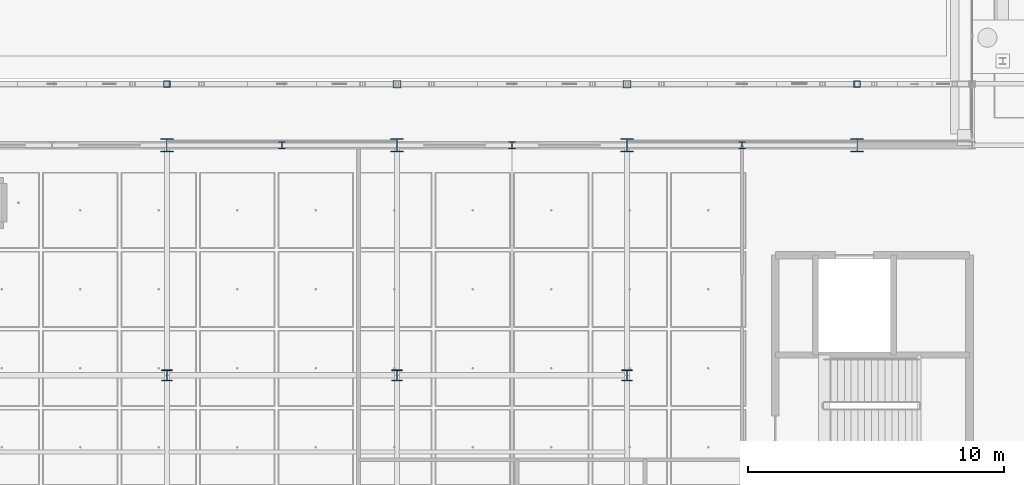
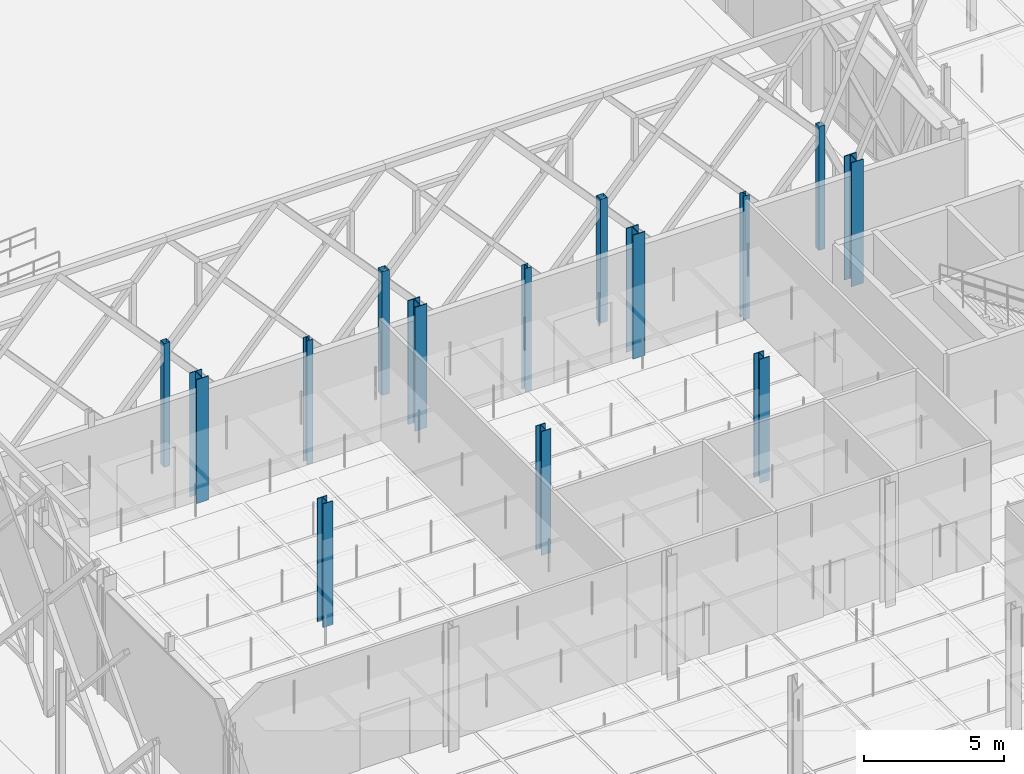
# One storey, part 13 of 180: 14 columns.
"""IFC4 building model written with IfcOpenShell, lengths in metres."""

import ifcopenshell
import ifcopenshell.guid

model = None  # the IFC model being written
_history = None  # IfcOwnerHistory: only IFC2X3 demands one
_inside = {}  # id of a spatial element -> (the spatial element, [elements in it])
_under = {}  # id of a project, library or spatial element -> (it, [spatial elements below it])
_declared = {}  # id of a project -> (the project, [libraries it declares])
_typed = {}  # id of a type object -> (the type object, [elements of that type])
_made_of = {}  # id of a material, layer set ... -> (it, [elements and type objects made of it])


def new_model(schema):
    """Start an empty IFC model of exactly this schema.

    Asked for "IFC4X3", IfcOpenShell would pick the latest addendum, in which some entities
    have other attributes; the version numbers below select the first issue.
    IFC2X3 requires an IfcOwnerHistory on every rooted entity: one is made here for all.
    """
    global model, _history
    if schema == "IFC4X3":
        model = ifcopenshell.file(schema_version=(4, 3, 0, 0))
    else:
        model = ifcopenshell.file(schema=schema)
    _inside.clear()
    _under.clear()
    _declared.clear()
    _typed.clear()
    _made_of.clear()
    _history = None
    if model.schema == "IFC2X3":
        org = make("IfcOrganization", Name="unknown")
        user = make(
            "IfcPersonAndOrganization",
            ThePerson=make("IfcPerson", FamilyName="unknown"),
            TheOrganization=org,
        )
        app = make(
            "IfcApplication",
            ApplicationDeveloper=org,
            Version="unknown",
            ApplicationFullName="unknown",
            ApplicationIdentifier="unknown",
        )
        _history = make(
            "IfcOwnerHistory",
            OwningUser=user,
            OwningApplication=app,
            ChangeAction="ADDED",
            CreationDate=0,
        )
    return model


def make(cls, **values):
    """One entity of the class cls with the attributes given. An attribute that is None is left unset."""
    return model.create_entity(
        cls, **{name: value for name, value in values.items() if value is not None}
    )


def rooted(cls, **values):
    """An entity with a GlobalId (a new one), such as an element, a storey or a relation."""
    return make(cls, GlobalId=ifcopenshell.guid.new(), OwnerHistory=_history, **values)


def si_unit(unit_type, name, prefix=None):
    """IfcSIUnit, for example si_unit("LENGTHUNIT", "METRE", prefix="MILLI")."""
    return make("IfcSIUnit", UnitType=unit_type, Prefix=prefix, Name=name)


def assignment(units):
    """IfcUnitAssignment: the units of a project."""
    return None if units is None else make("IfcUnitAssignment", Units=units)


def point(xyz):
    """IfcCartesianPoint."""
    return None if xyz is None else make("IfcCartesianPoint", Coordinates=xyz)


def direction(xyz):
    """IfcDirection."""
    return None if xyz is None else make("IfcDirection", DirectionRatios=xyz)


def frame(location, z_axis=None, x_axis=None):
    """IfcAxis2Placement3D, a coordinate frame: its origin and axes. An axis left out is left unset."""
    return make(
        "IfcAxis2Placement3D",
        Location=point(location),
        Axis=direction(z_axis),
        RefDirection=direction(x_axis),
    )


def frame_2d(location, x_axis=None):
    """IfcAxis2Placement2D, a coordinate frame in the plane: its origin and x axis."""
    return make(
        "IfcAxis2Placement2D", Location=point(location), RefDirection=direction(x_axis)
    )


def origin():
    """The frame at (0, 0, 0) with its axes left unset."""
    return frame((0.0, 0.0, 0.0))


def origin_2d():
    """The frame at (0, 0) in the plane with its x axis left unset."""
    return frame_2d((0.0, 0.0))


def place(relative_to, where):
    """IfcLocalPlacement: puts the frame where relative to a parent placement (None: the world)."""
    return make(
        "IfcLocalPlacement", PlacementRelTo=relative_to, RelativePlacement=where
    )


def context(
    kind, dimensions, precision=None, world=None, true_north=None, identifier=None
):
    """IfcGeometricRepresentationContext, for example the 3D "Model" context."""
    return make(
        "IfcGeometricRepresentationContext",
        ContextIdentifier=identifier,
        ContextType=kind,
        CoordinateSpaceDimension=dimensions,
        Precision=precision,
        WorldCoordinateSystem=world,
        TrueNorth=true_north,
    )


def subcontext(parent, identifier, kind, view, scale=None):
    """IfcGeometricRepresentationSubContext, for example "Body" below "Model"."""
    return make(
        "IfcGeometricRepresentationSubContext",
        ContextIdentifier=identifier,
        ContextType=kind,
        ParentContext=parent,
        TargetScale=scale,
        TargetView=view,
    )


def project(units=None, contexts=None):
    """IfcProject with its units and contexts."""
    return rooted(
        "IfcProject",
        Name="project",
        RepresentationContexts=contexts,
        UnitsInContext=assignment(units),
    )


def spatial(cls, under=None, at=None, **own):
    """A site, building, storey or space (cls), placed at a placement, below another one or the project."""
    s = rooted(cls, ObjectPlacement=at, **own)
    if under is not None:
        _under.setdefault(under.id(), (under, []))[1].append(s)
    return s


def profile(cls, at=None, kind="AREA", **sizes):
    """A parametric profile (cls). Its sizes go by their IFC names, for example OverallWidth=200.0."""
    return make(cls, ProfileType=kind, Position=at, **sizes)


def hollow_rectangle(**sizes):
    """IfcRectangleHollowProfileDef."""
    return profile("IfcRectangleHollowProfileDef", **sizes)


def i_section(**sizes):
    """IfcIShapeProfileDef."""
    return profile("IfcIShapeProfileDef", **sizes)


def extrude(swept, where, along, depth):
    """IfcExtrudedAreaSolid: the profile swept, set in the frame where, extruded along a direction by depth."""
    return make(
        "IfcExtrudedAreaSolid",
        SweptArea=swept,
        Position=where,
        ExtrudedDirection=direction(along),
        Depth=depth,
    )


def shape(context_of_items, identifier, shape_type, items):
    """IfcShapeRepresentation: the items that make up one representation, for example the "Body"."""
    return make(
        "IfcShapeRepresentation",
        ContextOfItems=context_of_items,
        RepresentationIdentifier=identifier,
        RepresentationType=shape_type,
        Items=items,
    )


def material(Name=None, Category=None):
    """IfcMaterial."""
    return make("IfcMaterial", Name=Name, Category=Category)


def material_profile(
    of_material, cross_section, Name=None, Category=None, Priority=None
):
    """IfcMaterialProfile: a cross section and its material."""
    return make(
        "IfcMaterialProfile",
        Name=Name,
        Material=of_material,
        Profile=cross_section,
        Priority=Priority,
        Category=Category,
    )


def profile_set(profiles, Name=None, composite=None):
    """IfcMaterialProfileSet."""
    return make(
        "IfcMaterialProfileSet",
        Name=Name,
        MaterialProfiles=profiles,
        CompositeProfile=composite,
    )


def made_of(thing, what):
    """Note that an element or type object is made of a material, layer set ...; save() writes the relation."""
    if what is not None:
        _made_of.setdefault(what.id(), (what, []))[1].append(thing)
    return thing


def type_object(cls, material=None, **own):
    """A type object (cls), such as IfcWallType, which elements share."""
    return made_of(rooted(cls, **own), material)


def element(
    cls,
    number,
    at=None,
    inside=None,
    cuts=None,
    type_object=None,
    material=None,
    context=None,
    identifier="Body",
    shape_type=None,
    held_by="IfcProductDefinitionShape",
    body=None,
    shapes=None,
    **own,
):
    """One element of the class cls, such as IfcWall. Its Tag is "e" and its number.

    at: its placement. inside: the storey or other place that contains it. cuts: it is an
    opening in that element (IfcRelVoidsElement). A single representation is given by context,
    identifier, shape_type and body (its items); several are given by shapes. held_by: the class
    of the entity that holds the representations. save() writes the other relations.
    """
    e = rooted(cls, Tag="e%d" % number, ObjectPlacement=at, **own)
    if body is not None:
        shapes = [shape(context, identifier, shape_type, body)]
    if shapes is not None:
        e.Representation = make(held_by, Representations=shapes)
    if inside is not None:
        _inside.setdefault(inside.id(), (inside, []))[1].append(e)
    if cuts is not None:
        rooted(
            "IfcRelVoidsElement", RelatingBuildingElement=cuts, RelatedOpeningElement=e
        )
    if type_object is not None:
        _typed.setdefault(type_object.id(), (type_object, []))[1].append(e)
    return made_of(e, material)


def aggregate(whole, parts):
    """IfcRelAggregates: a whole, such as a stair, and the parts it consists of."""
    return rooted("IfcRelAggregates", RelatingObject=whole, RelatedObjects=parts)


def save(model, path):
    """Write the relations noted so far, then the file.

    IfcRelAggregates (storeys below a building ...), IfcRelContainedInSpatialStructure (elements
    in a storey), IfcRelDefinesByType, IfcRelAssociatesMaterial and IfcRelDeclares: one each for
    every whole, place, type object, material and project.
    """
    for whole, parts in _under.values():
        aggregate(whole, parts)
    for where, things in _inside.values():
        rooted(
            "IfcRelContainedInSpatialStructure",
            RelatedElements=things,
            RelatingStructure=where,
        )
    for kind, things in _typed.values():
        rooted("IfcRelDefinesByType", RelatedObjects=things, RelatingType=kind)
    for what, things in _made_of.values():
        rooted("IfcRelAssociatesMaterial", RelatedObjects=things, RelatingMaterial=what)
    for by, libraries in _declared.values():
        rooted("IfcRelDeclares", RelatingContext=by, RelatedDefinitions=libraries)
    model.write(path)


model = new_model("IFC4")

# Units and contexts
model_context = context("Model", 3, precision=1e-05, world=origin(), true_north=direction((0.0, 1.0)))
body_context = subcontext(model_context, "Body", "Model", "MODEL_VIEW")
ifc_project = project(units=[si_unit("LENGTHUNIT", "METRE"), si_unit("AREAUNIT", "SQUARE_METRE"), si_unit("VOLUMEUNIT", "CUBIC_METRE"), si_unit("PLANEANGLEUNIT", "RADIAN"), si_unit("MASSUNIT", "GRAM", prefix="KILO"), si_unit("THERMODYNAMICTEMPERATUREUNIT", "KELVIN"), si_unit("POWERUNIT", "WATT")], contexts=[model_context])

# Site, building, storey
site_placement = place(None, origin())
site = spatial("IfcSite", under=ifc_project, at=site_placement, CompositionType="ELEMENT")
building_placement = place(site_placement, origin())
building = spatial("IfcBuilding", under=site, at=building_placement, Name="Tallowbark Science Centre", CompositionType="ELEMENT")
storey_placement = place(building_placement, origin())
storey = spatial("IfcBuildingStorey", under=building, at=storey_placement, Name="L00", CompositionType="ELEMENT", Elevation=0.0)

# Columns
ifc_material_1 = material(Name="White Architectural Painted Steel Grade C350L0 (350 MPa)", Category="steel")
ifc_material_profile_1 = material_profile(ifc_material_1, hollow_rectangle(XDim=0.25, YDim=0.25, WallThickness=0.009033203125, at=origin_2d()), Name="250x250x9.0SHS")
ifc_profile_set_1 = profile_set([ifc_material_profile_1], Name="White Architectural Painted Steel Grade C350L0 (350 MPa)")
column_type_1 = type_object("IfcColumnType", Name="COL-SCR200", PredefinedType="COLUMN", material=ifc_profile_set_1)
for number, where, z_axis, x_axis, name in (
    (1, (67.5, 42.89990234375, 0.0), (0.0, 0.0, 1.0), (1.0, 0.0, 0.0), "Column SCR-N02 L00"),
    (2, (94.5, 42.89990234375, 0.0), (0.0, 0.0, 1.0), (1.0, 0.0, 0.0), "Column SCR-N05 L00"),
):
    element("IfcColumn", number, at=place(storey_placement, frame(where, z_axis=z_axis, x_axis=x_axis)), inside=storey, type_object=column_type_1, Name=name, PredefinedType="COLUMN", context=body_context, shape_type="SweptSolid", body=[
        extrude(hollow_rectangle(XDim=0.25, YDim=0.25, WallThickness=0.009033203125, at=origin_2d()), origin(), (0.0, 0.0, 1.0), 5.39990234375),
    ])
ifc_material_profile_2 = material_profile(ifc_material_1, hollow_rectangle(XDim=0.300048828125, YDim=0.300048828125, WallThickness=0.010009765625, at=origin_2d()), Name="300x300x10.0SHS")
ifc_profile_set_2 = profile_set([ifc_material_profile_2], Name="White Architectural Painted Steel Grade C350L0 (350 MPa)")
column_type_2 = type_object("IfcColumnType", Name="COL-SCR300", PredefinedType="COLUMN", material=ifc_profile_set_2)
for number, where, z_axis, x_axis, name in (
    (3, (76.5, 42.89990234375, 0.0), (0.0, 0.0, 1.0), (1.0, 0.0, 0.0), "Column SCR-N03 L00"),
    (4, (85.5, 42.89990234375, 0.0), (0.0, 0.0, 1.0), (1.0, 0.0, 0.0), "Column SCR-N04 L00"),
):
    element("IfcColumn", number, at=place(storey_placement, frame(where, z_axis=z_axis, x_axis=x_axis)), inside=storey, type_object=column_type_2, Name=name, PredefinedType="COLUMN", context=body_context, shape_type="SweptSolid", body=[
        extrude(hollow_rectangle(XDim=0.300048828125, YDim=0.300048828125, WallThickness=0.010009765625, at=origin_2d()), origin(), (0.0, 0.0, 1.0), 5.39990234375),
    ])
ifc_material_2 = material(Name="Structural Steel Grade 300PLUS (300 MPa)", Category="steel")
ifc_material_profile_3 = material_profile(ifc_material_2, i_section(OverallWidth=0.39990234375, OverallDepth=0.427978515625, WebThickness=0.02001953125, FlangeThickness=0.028076171875, FilletRadius=0.01611328125, at=origin_2d()), Name="400WC270")
ifc_profile_set_3 = profile_set([ifc_material_profile_3], Name="Structural Steel Grade 300PLUS (300 MPa)")
column_type_3 = type_object("IfcColumnType", Name="COL-WC400", PredefinedType="COLUMN", material=ifc_profile_set_3)
for number, where, z_axis, x_axis, name in (
    (5, (67.5, 31.5, 0.0), (0.0, 0.0, 1.0), (1.0, 0.0, 0.0), "Column CUB-M1_3 L00"),
    (6, (76.5, 31.5, 0.0), (0.0, 0.0, 1.0), (1.0, 0.0, 0.0), "Column CUB-M2_3 L00"),
    (7, (85.5, 31.5, 0.0), (0.0, 0.0, 1.0), (1.0, 0.0, 0.0), "Column CUB-M3_3 L00"),
):
    element("IfcColumn", number, at=place(storey_placement, frame(where, z_axis=z_axis, x_axis=x_axis)), inside=storey, type_object=column_type_3, Name=name, PredefinedType="COLUMN", context=body_context, shape_type="SweptSolid", body=[
        extrude(i_section(OverallWidth=0.39990234375, OverallDepth=0.427978515625, WebThickness=0.02001953125, FlangeThickness=0.028076171875, FilletRadius=0.01611328125, at=origin_2d()), origin(), (0.0, 0.0, 1.0), 5.39990234375),
    ])
ifc_material_profile_4 = material_profile(ifc_material_2, i_section(OverallWidth=0.5, OverallDepth=0.513916015625, WebThickness=0.02197265625, FlangeThickness=0.031982421875, FilletRadius=0.01611328125, at=origin_2d()), Name="500WC340")
ifc_profile_set_4 = profile_set([ifc_material_profile_4], Name="Structural Steel Grade 300PLUS (300 MPa)")
column_type_4 = type_object("IfcColumnType", Name="COL-WC500", PredefinedType="COLUMN", material=ifc_profile_set_4)
for number, where, z_axis, x_axis, name in (
    (8, (67.5, 40.5, 0.0), (0.0, 0.0, 1.0), (1.0, 0.0, 0.0), "Column CUB-M1_4 L00"),
    (9, (76.5, 40.5, 0.0), (0.0, 0.0, 1.0), (1.0, 0.0, 0.0), "Column CUB-M2_4 L00"),
    (10, (85.5, 40.5, 0.0), (0.0, 0.0, 1.0), (1.0, 0.0, 0.0), "Column CUB-M3_4 L00"),
    (11, (94.5, 40.5, 0.0), (0.0, 0.0, 1.0), (1.0, 0.0, 0.0), "Column CUB-M4_4 L00"),
):
    element("IfcColumn", number, at=place(storey_placement, frame(where, z_axis=z_axis, x_axis=x_axis)), inside=storey, type_object=column_type_4, Name=name, PredefinedType="COLUMN", context=body_context, shape_type="SweptSolid", body=[
        extrude(i_section(OverallWidth=0.5, OverallDepth=0.513916015625, WebThickness=0.02197265625, FlangeThickness=0.031982421875, FilletRadius=0.01611328125, at=origin_2d()), origin(), (0.0, 0.0, 1.0), 5.39990234375),
    ])
ifc_material_profile_5 = material_profile(ifc_material_2, i_section(OverallWidth=0.256103515625, OverallDepth=0.260009765625, WebThickness=0.010498046875, FlangeThickness=0.017333984375, FilletRadius=0.013916015625, at=origin_2d()), Name="250UC89.5")
ifc_profile_set_5 = profile_set([ifc_material_profile_5], Name="Structural Steel Grade 300PLUS (300 MPa)")
column_type_5 = type_object("IfcColumnType", Name="PIL-UC250", PredefinedType="PILASTER", material=ifc_profile_set_5)
for number, where, z_axis, x_axis, name in (
    (12, (72.0, 40.5, 0.0), (0.0, 0.0, 1.0), (1.0, 0.0, 0.0), "Column CUB-PN-1 L00"),
    (13, (81.0, 40.5, 0.0), (0.0, 0.0, 1.0), (1.0, 0.0, 0.0), "Column CUB-PN-2 L00"),
    (14, (90.0, 40.5, 0.0), (0.0, 0.0, 1.0), (1.0, 0.0, 0.0), "Column CUB-PN-3 L00"),
):
    element("IfcColumn", number, at=place(storey_placement, frame(where, z_axis=z_axis, x_axis=x_axis)), inside=storey, type_object=column_type_5, Name=name, PredefinedType="PILASTER", context=body_context, shape_type="SweptSolid", body=[
        extrude(i_section(OverallWidth=0.256103515625, OverallDepth=0.260009765625, WebThickness=0.010498046875, FlangeThickness=0.017333984375, FilletRadius=0.013916015625, at=origin_2d()), origin(), (0.0, 0.0, 1.0), 5.39990234375),
    ])

save(model, "model.ifc")
